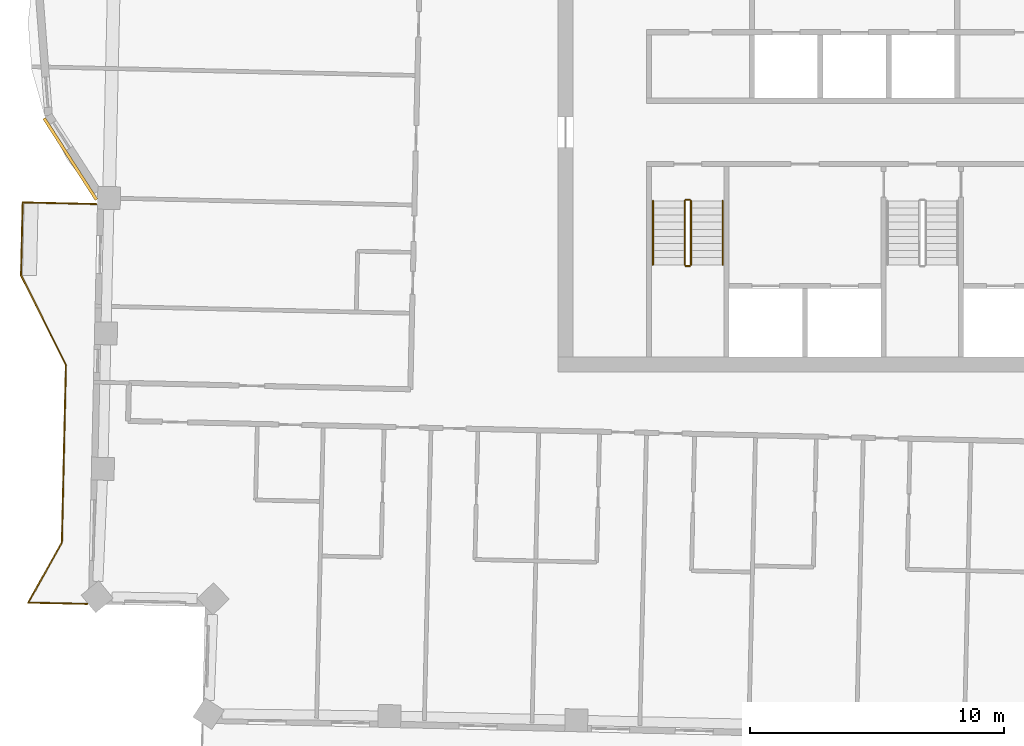
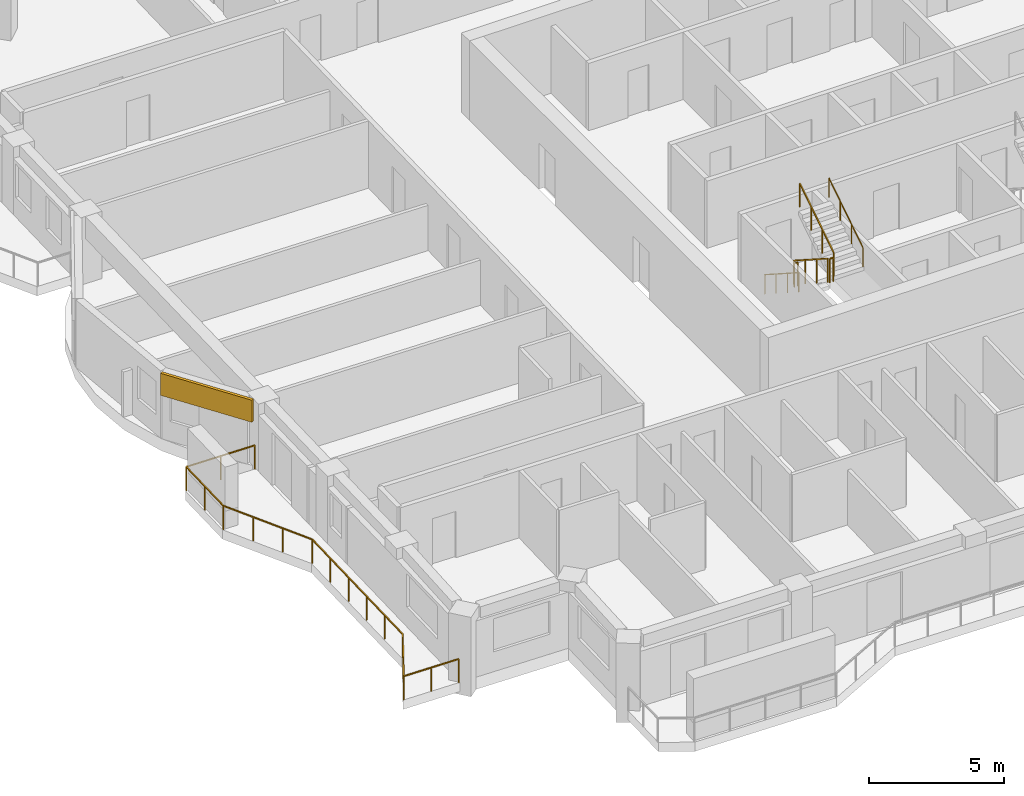
# One storey, part 12 of 15: 7 railings, 1 covering.
"""IFC4 building model written with IfcOpenShell, lengths in metres."""

from ifc_helpers import new_model, si_unit, direction, frame, frame_2d, origin, origin_2d, place, context, subcontext, project, spatial, rectangle, circle, extrude, material, layer, layer_set, type_object, element, save


model = new_model("IFC4")

# Units and contexts
model_context = context("Model", 3, precision=1e-05, world=origin(), true_north=direction((0.0, 1.0)))
body_context = subcontext(model_context, "Body", "Model", "MODEL_VIEW")
ifc_project = project(units=[si_unit("LENGTHUNIT", "METRE"), si_unit("AREAUNIT", "SQUARE_METRE"), si_unit("VOLUMEUNIT", "CUBIC_METRE"), si_unit("PLANEANGLEUNIT", "RADIAN"), si_unit("MASSUNIT", "GRAM", prefix="KILO")], contexts=[model_context])

# Site, building, storey
site_placement = place(None, origin())
site = spatial("IfcSite", under=ifc_project, at=site_placement, CompositionType="ELEMENT")
building_placement = place(site_placement, origin())
building = spatial("IfcBuilding", under=site, at=building_placement, Name="Mangrove Gate Tower", CompositionType="ELEMENT")
storey_placement = place(building_placement, frame((0.0, 0.0, 313.300048828125)))
storey = spatial("IfcBuildingStorey", under=building, at=storey_placement, Name="L80", CompositionType="ELEMENT", Elevation=313.300048828125)

# Railings
ifc_material_1 = material(Name="Stainless steel grade 316 with laminated glass infill", Category="steel")
railing_type_1 = type_object("IfcRailingType", Name="Balcony guard 1100", PredefinedType="GUARDRAIL", material=ifc_material_1)
railing_1_placement = place(storey_placement, frame((-32.593994140625, -4.77392578125, 0.0)))
element("IfcRailing", 1, at=railing_1_placement, inside=storey, type_object=railing_type_1, Name="GUARD L80 W2", PredefinedType="GUARDRAIL", context=body_context, shape_type="SweptSolid", body=[
    extrude(rectangle(XDim=0.048095703125, YDim=0.048095703125, at=origin_2d()), frame((0.0, 0.0, 1.076171875), z_axis=(-0.999743349437, 0.022654696127, 0.0), x_axis=(-0.022654696127, -0.999743349437, 0.0)), (0.0, 0.0, 1.0), 2.90966796875),
    extrude(rectangle(XDim=0.048095703125, YDim=0.048095703125, at=origin_2d()), frame((-2.908935546875, 0.06591796875, 1.076171875), z_axis=(-0.022675106248, -0.999742886725, 0.0), x_axis=(0.999742886725, -0.022675106248, 0.0)), (0.0, 0.0, 1.0), 2.874755859375),
    extrude(rectangle(XDim=0.048095703125, YDim=0.048095703125, at=origin_2d()), frame((-2.97412109375, -2.80810546875, 1.076171875), z_axis=(0.447114919141, -0.894476522376, 0.0), x_axis=(0.894476522376, 0.447114919141, 0.0)), (0.0, 0.0, 1.0), 3.958740234375),
    extrude(rectangle(XDim=0.048095703125, YDim=0.048095703125, at=origin_2d()), frame((-1.2041015625, -6.34912109375, 1.076171875), z_axis=(-0.022705559911, -0.999742195543, 0.0), x_axis=(0.999742195543, -0.022705559911, 0.0)), (0.0, 0.0, 1.0), 6.999755859375),
    extrude(rectangle(XDim=0.048095703125, YDim=0.048095703125, at=origin_2d()), frame((-1.363037109375, -13.34716796875, 1.076171875), z_axis=(-0.48729121569, -0.873239526769, 0.0), x_axis=(0.873239526769, -0.48729121569, 0.0)), (0.0, 0.0, 1.0), 2.715087890625),
    extrude(rectangle(XDim=0.048095703125, YDim=0.048095703125, at=origin_2d()), frame((-2.68603515625, -15.718017578125, 1.076171875), z_axis=(0.999750635712, -0.022330839493, 0.0), x_axis=(0.022330839493, 0.999750635712, 0.0)), (0.0, 0.0, 1.0), 2.32861328125),
    extrude(rectangle(XDim=0.0419921875, YDim=0.0419921875, at=origin_2d()), origin(), (0.0, 0.0, 1.0), 1.052001953125),
    extrude(rectangle(XDim=0.0419921875, YDim=0.0419921875, at=origin_2d()), frame((-1.45458984375, 0.032958984375, 0.0)), (0.0, 0.0, 1.0), 1.052001953125),
    extrude(rectangle(XDim=0.0419921875, YDim=0.0419921875, at=origin_2d()), frame((-2.908935546875, 0.06591796875, 0.0)), (0.0, 0.0, 1.0), 1.052001953125),
    extrude(rectangle(XDim=0.0419921875, YDim=0.0419921875, at=origin_2d()), frame((-2.94140625, -1.37109375, 0.0)), (0.0, 0.0, 1.0), 1.052001953125),
    extrude(rectangle(XDim=0.0419921875, YDim=0.0419921875, at=origin_2d()), frame((-2.97412109375, -2.80810546875, 0.0)), (0.0, 0.0, 1.0), 1.052001953125),
    extrude(rectangle(XDim=0.0419921875, YDim=0.0419921875, at=origin_2d()), frame((-2.384033203125, -3.988525390625, 0.0)), (0.0, 0.0, 1.0), 1.052001953125),
    extrude(rectangle(XDim=0.0419921875, YDim=0.0419921875, at=origin_2d()), frame((-1.794189453125, -5.168701171875, 0.0)), (0.0, 0.0, 1.0), 1.052001953125),
    extrude(rectangle(XDim=0.0419921875, YDim=0.0419921875, at=origin_2d()), frame((-1.2041015625, -6.34912109375, 0.0)), (0.0, 0.0, 1.0), 1.052001953125),
    extrude(rectangle(XDim=0.0419921875, YDim=0.0419921875, at=origin_2d()), frame((-1.23583984375, -7.748779296875, 0.0)), (0.0, 0.0, 1.0), 1.052001953125),
    extrude(rectangle(XDim=0.0419921875, YDim=0.0419921875, at=origin_2d()), frame((-1.267578125, -9.1484375, 0.0)), (0.0, 0.0, 1.0), 1.052001953125),
    extrude(rectangle(XDim=0.0419921875, YDim=0.0419921875, at=origin_2d()), frame((-1.299560546875, -10.5478515625, 0.0)), (0.0, 0.0, 1.0), 1.052001953125),
    extrude(rectangle(XDim=0.0419921875, YDim=0.0419921875, at=origin_2d()), frame((-1.331298828125, -11.947509765625, 0.0)), (0.0, 0.0, 1.0), 1.052001953125),
    extrude(rectangle(XDim=0.0419921875, YDim=0.0419921875, at=origin_2d()), frame((-1.363037109375, -13.34716796875, 0.0)), (0.0, 0.0, 1.0), 1.052001953125),
    extrude(rectangle(XDim=0.0419921875, YDim=0.0419921875, at=origin_2d()), frame((-2.0244140625, -14.53271484375, 0.0)), (0.0, 0.0, 1.0), 1.052001953125),
    extrude(rectangle(XDim=0.0419921875, YDim=0.0419921875, at=origin_2d()), frame((-2.68603515625, -15.718017578125, 0.0)), (0.0, 0.0, 1.0), 1.052001953125),
    extrude(rectangle(XDim=0.0419921875, YDim=0.0419921875, at=origin_2d()), frame((-1.52197265625, -15.744140625, 0.0)), (0.0, 0.0, 1.0), 1.052001953125),
    extrude(rectangle(XDim=0.0419921875, YDim=0.0419921875, at=origin_2d()), frame((-0.35791015625, -15.77001953125, 0.0)), (0.0, 0.0, 1.0), 1.052001953125),
])
ifc_material_2 = material(Name="Stainless steel 316", Category="steel")
railing_type_2 = type_object("IfcRailingType", Name="Core stair guard 1100", PredefinedType="GUARDRAIL", material=ifc_material_2)
railing_2_placement = place(storey_placement, frame((-9.39990234375, -4.64990234375, 0.179931640625)))
element("IfcRailing", 2, at=railing_2_placement, inside=storey, type_object=railing_type_2, Name="L80 ST1 stair guard 1", PredefinedType="GUARDRAIL", context=body_context, shape_type="SweptSolid", body=[
    extrude(rectangle(XDim=0.048095703125, YDim=0.048095703125, at=origin_2d()), frame((0.0, 0.0, 1.076171875), z_axis=(0.0, -0.841162588446, 0.540782303519), x_axis=(1.0, 0.0, 0.0)), (0.0, 0.0, 1.0), 2.995849609375),
    extrude(rectangle(XDim=0.0419921875, YDim=0.0419921875, at=origin_2d()), origin(), (0.0, 0.0, 1.0), 1.052001953125),
    extrude(rectangle(XDim=0.0419921875, YDim=0.0419921875, at=origin_2d()), frame((0.0, -0.840087890625, 0.5400390625)), (0.0, 0.0, 1.0), 1.052001953125),
    extrude(rectangle(XDim=0.0419921875, YDim=0.0419921875, at=origin_2d()), frame((0.0, -1.679931640625, 1.080078125)), (0.0, 0.0, 1.0), 1.052001953125),
    extrude(rectangle(XDim=0.0419921875, YDim=0.0419921875, at=origin_2d()), frame((0.0, -2.52001953125, 1.6201171875)), (0.0, 0.0, 1.0), 1.052001953125),
])
railing_3_placement = place(storey_placement, frame((-9.35009765625, -7.219970703125, 1.800048828125)))
element("IfcRailing", 3, at=railing_3_placement, inside=storey, type_object=railing_type_2, Name="L80 ST1 stair guard 2", PredefinedType="GUARDRAIL", context=body_context, shape_type="SweptSolid", body=[
    extrude(rectangle(XDim=0.048095703125, YDim=0.048095703125, at=origin_2d()), frame((0.0, 0.0, 1.076171875), z_axis=(1.0, 0.0, 0.0), x_axis=(0.0, 1.0, 0.0)), (0.0, 0.0, 1.0), 0.150146484375),
    extrude(rectangle(XDim=0.0419921875, YDim=0.0419921875, at=origin_2d()), origin(), (0.0, 0.0, 1.0), 1.052001953125),
    extrude(rectangle(XDim=0.0419921875, YDim=0.0419921875, at=origin_2d()), frame((0.150146484375, 0.0, 0.0)), (0.0, 0.0, 1.0), 1.052001953125),
])
railing_4_placement = place(storey_placement, frame((-9.14990234375, -7.169921875, 1.97998046875)))
element("IfcRailing", 4, at=railing_4_placement, inside=storey, type_object=railing_type_2, Name="L80 ST1 stair guard 3", PredefinedType="GUARDRAIL", context=body_context, shape_type="SweptSolid", body=[
    extrude(rectangle(XDim=0.048095703125, YDim=0.048095703125, at=origin_2d()), frame((0.0, 0.0, 1.076171875), z_axis=(0.0, 0.841199657755, 0.540724639528), x_axis=(-1.0, 0.0, 0.0)), (0.0, 0.0, 1.0), 2.995849609375),
    extrude(rectangle(XDim=0.0419921875, YDim=0.0419921875, at=origin_2d()), origin(), (0.0, 0.0, 1.0), 1.052001953125),
    extrude(rectangle(XDim=0.0419921875, YDim=0.0419921875, at=origin_2d()), frame((0.0, 0.840087890625, 0.5400390625)), (0.0, 0.0, 1.0), 1.052001953125),
    extrude(rectangle(XDim=0.0419921875, YDim=0.0419921875, at=origin_2d()), frame((0.0, 1.679931640625, 1.079833984375)), (0.0, 0.0, 1.0), 1.052001953125),
    extrude(rectangle(XDim=0.0419921875, YDim=0.0419921875, at=origin_2d()), frame((0.0, 2.52001953125, 1.619873046875)), (0.0, 0.0, 1.0), 1.052001953125),
])
railing_5_placement = place(storey_placement, frame((-9.35009765625, -4.60009765625, 0.0)))
element("IfcRailing", 5, at=railing_5_placement, inside=storey, type_object=railing_type_2, Name="L80 ST1 stair guard 4", PredefinedType="GUARDRAIL", context=body_context, shape_type="SweptSolid", body=[
    extrude(rectangle(XDim=0.048095703125, YDim=0.048095703125, at=origin_2d()), frame((0.0, 0.0, 1.076171875), z_axis=(1.0, 0.0, 0.0), x_axis=(0.0, 1.0, 0.0)), (0.0, 0.0, 1.0), 0.150146484375),
    extrude(rectangle(XDim=0.0419921875, YDim=0.0419921875, at=origin_2d()), origin(), (0.0, 0.0, 1.0), 1.052001953125),
    extrude(rectangle(XDim=0.0419921875, YDim=0.0419921875, at=origin_2d()), frame((0.150146484375, 0.0, 0.0)), (0.0, 0.0, 1.0), 1.052001953125),
])
ifc_material_3 = material(Name="Stainless steel 316", Category="steel")
railing_type_3 = type_object("IfcRailingType", Name="Core stair handrail 900", PredefinedType="HANDRAIL", material=ifc_material_3)
railing_6_placement = place(storey_placement, frame((-10.64990234375, -4.64990234375, 0.179931640625)))
element("IfcRailing", 6, at=railing_6_placement, inside=storey, type_object=railing_type_3, Name="L80 ST1 stair handrail 1", PredefinedType="HANDRAIL", context=body_context, shape_type="SweptSolid", body=[
    extrude(circle(Radius=0.02392578125, at=origin_2d()), frame((0.0, 0.0, 0.8759765625), z_axis=(0.0, -0.841162588446, 0.540782303519), x_axis=(1.0, 0.0, 0.0)), (0.0, 0.0, 1.0), 2.995849609375),
    extrude(circle(Radius=0.02099609375, at=origin_2d()), origin(), (0.0, 0.0, 1.0), 0.851806640625),
    extrude(circle(Radius=0.02099609375, at=origin_2d()), frame((0.0, -0.840087890625, 0.5400390625)), (0.0, 0.0, 1.0), 0.851806640625),
    extrude(circle(Radius=0.02099609375, at=origin_2d()), frame((0.0, -1.679931640625, 1.080078125)), (0.0, 0.0, 1.0), 0.851806640625),
    extrude(circle(Radius=0.02099609375, at=origin_2d()), frame((0.0, -2.52001953125, 1.6201171875)), (0.0, 0.0, 1.0), 0.851806640625),
])
railing_7_placement = place(storey_placement, frame((-7.89990234375, -7.169921875, 1.97998046875)))
element("IfcRailing", 7, at=railing_7_placement, inside=storey, type_object=railing_type_3, Name="L80 ST1 stair handrail 2", PredefinedType="HANDRAIL", context=body_context, shape_type="SweptSolid", body=[
    extrude(circle(Radius=0.02392578125, at=origin_2d()), frame((0.0, 0.0, 0.8759765625), z_axis=(0.0, 0.841199657755, 0.540724639528), x_axis=(-1.0, 0.0, 0.0)), (0.0, 0.0, 1.0), 2.995849609375),
    extrude(circle(Radius=0.02099609375, at=origin_2d()), origin(), (0.0, 0.0, 1.0), 0.851806640625),
    extrude(circle(Radius=0.02099609375, at=origin_2d()), frame((0.0, 0.840087890625, 0.5400390625)), (0.0, 0.0, 1.0), 0.851806640625),
    extrude(circle(Radius=0.02099609375, at=origin_2d()), frame((0.0, 1.679931640625, 1.079833984375)), (0.0, 0.0, 1.0), 0.851806640625),
    extrude(circle(Radius=0.02099609375, at=origin_2d()), frame((0.0, 2.52001953125, 1.619873046875)), (0.0, 0.0, 1.0), 0.851806640625),
])

# Covering
ifc_material_4 = material(Name="Limestone", Category="masonry")
ifc_layer_1 = layer(ifc_material_4, 0.0400390625, Name="Limestone cladding")
ifc_material_5 = material(Name="Stainless steel anchors and cavity", Category="steel")
ifc_layer_2 = layer(ifc_material_5, 0.080078125, Name="Fixing cavity")
ifc_layer_set = layer_set([ifc_layer_1, ifc_layer_2], Name="Joint fascia cladding 120")
covering_type = type_object("IfcCoveringType", Name="Joint fascia cladding 120", PredefinedType="CLADDING", material=ifc_layer_set)
covering_placement = place(storey_placement, frame((-34.657958984375, -1.39111328125, 2.050048828125), z_axis=(0.0, 0.0, 1.0), x_axis=(0.540602448732, -0.841278189676, 0.0)))
element("IfcCovering", 8, at=covering_placement, inside=storey, type_object=covering_type, Name="STONE FASCIA L80 W9.L2", PredefinedType="CLADDING", context=body_context, shape_type="SweptSolid", body=[
    extrude(rectangle(XDim=3.81787109375, YDim=0.1201171875, at=frame_2d((1.908935546875, 0.0))), origin(), (0.0, 0.0, 1.0), 1.0),
])

save(model, "model.ifc")
